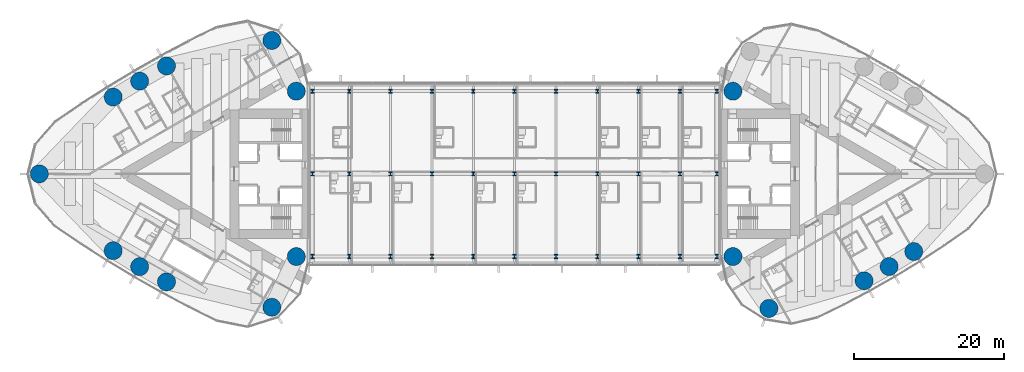
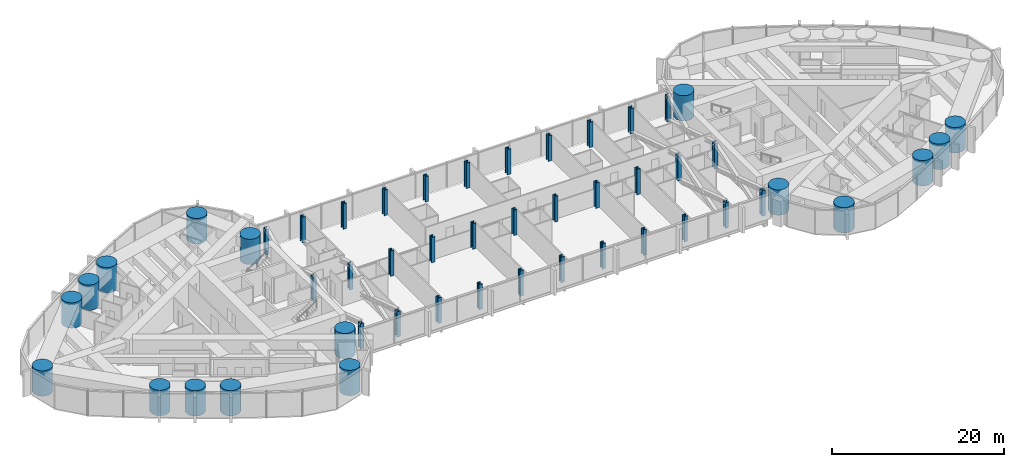
# One storey, part 1 of 24: 50 columns.
"""IFC4 building model written with IfcOpenShell, lengths in metres."""

from ifc_helpers import new_model, si_unit, direction, frame, origin, origin_2d, place, context, subcontext, project, spatial, circle, i_section, extrude, material, material_profile, profile_set, type_object, element, save


model = new_model("IFC4")

# Units and contexts
model_context = context("Model", 3, precision=1e-05, world=origin(), true_north=direction((0.0, 1.0)))
body_context = subcontext(model_context, "Body", "Model", "MODEL_VIEW")
ifc_project = project(units=[si_unit("LENGTHUNIT", "METRE"), si_unit("AREAUNIT", "SQUARE_METRE"), si_unit("VOLUMEUNIT", "CUBIC_METRE"), si_unit("PLANEANGLEUNIT", "RADIAN"), si_unit("MASSUNIT", "GRAM", prefix="KILO")], contexts=[model_context])

# Site, building, storey
site_placement = place(None, origin())
site = spatial("IfcSite", under=ifc_project, at=site_placement, CompositionType="ELEMENT")
building_placement = place(site_placement, origin())
building = spatial("IfcBuilding", under=site, at=building_placement, Name="Lancet Gate Hotel", CompositionType="ELEMENT")
storey_placement = place(building_placement, frame((0.0, 0.0, 236.89990234375)))
storey = spatial("IfcBuildingStorey", under=building, at=storey_placement, Name="L63", CompositionType="ELEMENT", Elevation=236.89990234375)

# Columns
ifc_material_1 = material(Name="Steel S460", Category="steel")
ifc_material_profile_1 = material_profile(ifc_material_1, i_section(OverallWidth=0.447998046875, OverallDepth=0.550048828125, WebThickness=0.072021484375, FlangeThickness=0.114990234375, FilletRadius=0.02001953125, at=origin_2d()), Name="HD 400x990")
ifc_profile_set_1 = profile_set([ifc_material_profile_1], Name="Steel S460")
column_type_1 = type_object("IfcColumnType", Name="Block column HD 400x990", PredefinedType="COLUMN", material=ifc_profile_set_1)
for number, where, z_axis, x_axis, name in (
    (1, (-26.89990234375, -11.0, 0.0), (0.0, 0.0, 1.0), (1.0, 0.0, 0.0), "Block column S0 L63"),
    (2, (-22.0, -11.0, 0.0), (0.0, 0.0, 1.0), (1.0, 0.0, 0.0), "Block column S1 L63"),
    (3, (-16.5, -11.0, 0.0), (0.0, 0.0, 1.0), (1.0, 0.0, 0.0), "Block column S2 L63"),
    (4, (-11.0, -11.0, 0.0), (0.0, 0.0, 1.0), (1.0, 0.0, 0.0), "Block column S3 L63"),
    (5, (-5.5, -11.0, 0.0), (0.0, 0.0, 1.0), (1.0, 0.0, 0.0), "Block column S4 L63"),
    (6, (0.0, -11.0, 0.0), (0.0, 0.0, 1.0), (1.0, 0.0, 0.0), "Block column S5 L63"),
    (7, (5.5, -11.0, 0.0), (0.0, 0.0, 1.0), (1.0, 0.0, 0.0), "Block column S6 L63"),
    (8, (11.0, -11.0, 0.0), (0.0, 0.0, 1.0), (1.0, 0.0, 0.0), "Block column S7 L63"),
    (9, (16.5, -11.0, 0.0), (0.0, 0.0, 1.0), (1.0, 0.0, 0.0), "Block column S8 L63"),
    (10, (22.0, -11.0, 0.0), (0.0, 0.0, 1.0), (1.0, 0.0, 0.0), "Block column S9 L63"),
    (11, (26.89990234375, -11.0, 0.0), (0.0, 0.0, 1.0), (1.0, 0.0, 0.0), "Block column S10 L63"),
    (12, (-26.89990234375, 0.0, 0.0), (0.0, 0.0, 1.0), (1.0, 0.0, 0.0), "Block column M0 L63"),
    (13, (-22.0, 0.0, 0.0), (0.0, 0.0, 1.0), (1.0, 0.0, 0.0), "Block column M1 L63"),
    (14, (-16.5, 0.0, 0.0), (0.0, 0.0, 1.0), (1.0, 0.0, 0.0), "Block column M2 L63"),
    (15, (-11.0, 0.0, 0.0), (0.0, 0.0, 1.0), (1.0, 0.0, 0.0), "Block column M3 L63"),
    (16, (-5.5, 0.0, 0.0), (0.0, 0.0, 1.0), (1.0, 0.0, 0.0), "Block column M4 L63"),
    (17, (0.0, 0.0, 0.0), (0.0, 0.0, 1.0), (1.0, 0.0, 0.0), "Block column M5 L63"),
    (18, (5.5, 0.0, 0.0), (0.0, 0.0, 1.0), (1.0, 0.0, 0.0), "Block column M6 L63"),
    (19, (11.0, 0.0, 0.0), (0.0, 0.0, 1.0), (1.0, 0.0, 0.0), "Block column M7 L63"),
    (20, (16.5, 0.0, 0.0), (0.0, 0.0, 1.0), (1.0, 0.0, 0.0), "Block column M8 L63"),
    (21, (22.0, 0.0, 0.0), (0.0, 0.0, 1.0), (1.0, 0.0, 0.0), "Block column M9 L63"),
    (22, (26.89990234375, 0.0, 0.0), (0.0, 0.0, 1.0), (1.0, 0.0, 0.0), "Block column M10 L63"),
    (23, (-26.89990234375, 11.0, 0.0), (0.0, 0.0, 1.0), (1.0, 0.0, 0.0), "Block column N0 L63"),
    (24, (-22.0, 11.0, 0.0), (0.0, 0.0, 1.0), (1.0, 0.0, 0.0), "Block column N1 L63"),
    (25, (-16.5, 11.0, 0.0), (0.0, 0.0, 1.0), (1.0, 0.0, 0.0), "Block column N2 L63"),
    (26, (-11.0, 11.0, 0.0), (0.0, 0.0, 1.0), (1.0, 0.0, 0.0), "Block column N3 L63"),
    (27, (-5.5, 11.0, 0.0), (0.0, 0.0, 1.0), (1.0, 0.0, 0.0), "Block column N4 L63"),
    (28, (0.0, 11.0, 0.0), (0.0, 0.0, 1.0), (1.0, 0.0, 0.0), "Block column N5 L63"),
    (29, (5.5, 11.0, 0.0), (0.0, 0.0, 1.0), (1.0, 0.0, 0.0), "Block column N6 L63"),
    (30, (11.0, 11.0, 0.0), (0.0, 0.0, 1.0), (1.0, 0.0, 0.0), "Block column N7 L63"),
    (31, (16.5, 11.0, 0.0), (0.0, 0.0, 1.0), (1.0, 0.0, 0.0), "Block column N8 L63"),
    (32, (22.0, 11.0, 0.0), (0.0, 0.0, 1.0), (1.0, 0.0, 0.0), "Block column N9 L63"),
    (33, (26.89990234375, 11.0, 0.0), (0.0, 0.0, 1.0), (1.0, 0.0, 0.0), "Block column N10 L63"),
):
    element("IfcColumn", number, at=place(storey_placement, frame(where, z_axis=z_axis, x_axis=x_axis)), inside=storey, type_object=column_type_1, Name=name, PredefinedType="COLUMN", context=body_context, shape_type="SweptSolid", body=[
        extrude(i_section(OverallWidth=0.447998046875, OverallDepth=0.550048828125, WebThickness=0.072021484375, FlangeThickness=0.114990234375, FilletRadius=0.02001953125, at=origin_2d()), origin(), (0.0, 0.0, 1.0), 3.60009765625),
    ])
ifc_material_2 = material(Name="Concrete C50/60", Category="concrete")
ifc_material_profile_2 = material_profile(ifc_material_2, circle(Radius=1.199951171875, at=origin_2d()), Name="RC D2400")
ifc_profile_set_2 = profile_set([ifc_material_profile_2], Name="Concrete C50/60")
column_type_2 = type_object("IfcColumnType", Name="Perimeter column RC D2400", PredefinedType="COLUMN", material=ifc_profile_set_2)
for number, where, z_axis, x_axis, name in (
    (34, (-63.234375, 0.0, 0.0), (0.0, 0.0, 1.0), (1.0, 0.0, 0.0), "T1 column CA L63"),
    (35, (-32.301025390625, -17.745361328125, 0.0), (0.0, 0.0, 1.0), (1.0, 0.0, 0.0), "T1 column CN L63"),
    (36, (-32.301025390625, 17.745361328125, 0.0), (0.0, 0.0, 1.0), (1.0, 0.0, 0.0), "T1 column CS L63"),
    (37, (-29.050048828125, -11.0, 0.0), (0.0, 0.0, 1.0), (1.0, 0.0, 0.0), "T1 column IN L63"),
    (38, (-29.050048828125, 11.0, 0.0), (0.0, 0.0, 1.0), (1.0, 0.0, 0.0), "T1 column IS L63"),
    (39, (-53.40771484375, -10.218994140625, 0.0), (0.0, 0.0, 1.0), (1.0, 0.0, 0.0), "T1 column ON1 L63"),
    (40, (-49.89013671875, -12.340087890625, 0.0), (0.0, 0.0, 1.0), (1.0, 0.0, 0.0), "T1 column ON2 L63"),
    (41, (-46.316650390625, -14.365478515625, 0.0), (0.0, 0.0, 1.0), (1.0, 0.0, 0.0), "T1 column ON3 L63"),
    (42, (-46.316650390625, 14.365478515625, 0.0), (0.0, 0.0, 1.0), (1.0, 0.0, 0.0), "T1 column OS1 L63"),
    (43, (-49.89013671875, 12.340087890625, 0.0), (0.0, 0.0, 1.0), (1.0, 0.0, 0.0), "T1 column OS2 L63"),
    (44, (-53.40771484375, 10.218994140625, 0.0), (0.0, 0.0, 1.0), (1.0, 0.0, 0.0), "T1 column OS3 L63"),
    (45, (33.837158203125, -17.906005859375, 0.0), (0.0, 0.0, 1.0), (1.0, 0.0, 0.0), "T2 column CS L63"),
    (46, (29.050048828125, 11.0, 0.0), (0.0, 0.0, 1.0), (1.0, 0.0, 0.0), "T2 column IN L63"),
    (47, (29.050048828125, -11.0, 0.0), (0.0, 0.0, 1.0), (1.0, 0.0, 0.0), "T2 column IS L63"),
    (48, (46.499267578125, -14.2255859375, 0.0), (0.0, 0.0, 1.0), (1.0, 0.0, 0.0), "T2 column OS1 L63"),
    (49, (49.833984375, -12.331787109375, 0.0), (0.0, 0.0, 1.0), (1.0, 0.0, 0.0), "T2 column OS2 L63"),
    (50, (53.107666015625, -10.333984375, 0.0), (0.0, 0.0, 1.0), (1.0, 0.0, 0.0), "T2 column OS3 L63"),
):
    element("IfcColumn", number, at=place(storey_placement, frame(where, z_axis=z_axis, x_axis=x_axis)), inside=storey, type_object=column_type_2, Name=name, PredefinedType="COLUMN", context=body_context, shape_type="SweptSolid", body=[
        extrude(circle(Radius=1.199951171875, at=origin_2d()), origin(), (0.0, 0.0, 1.0), 3.60009765625),
    ])

save(model, "model.ifc")
